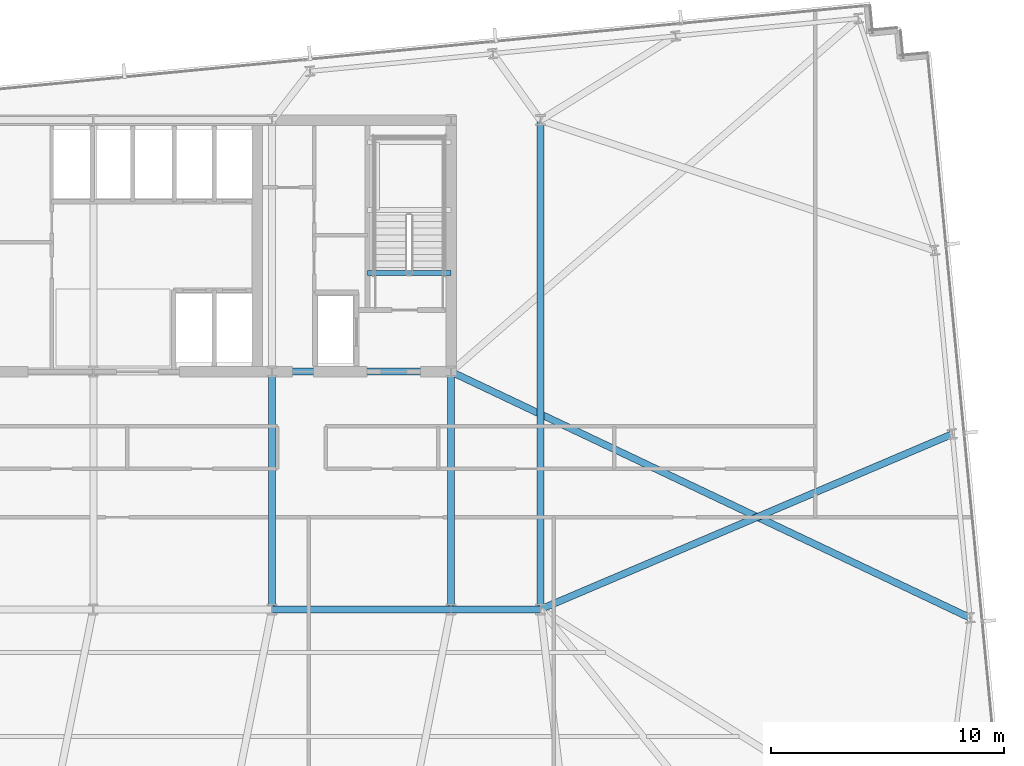
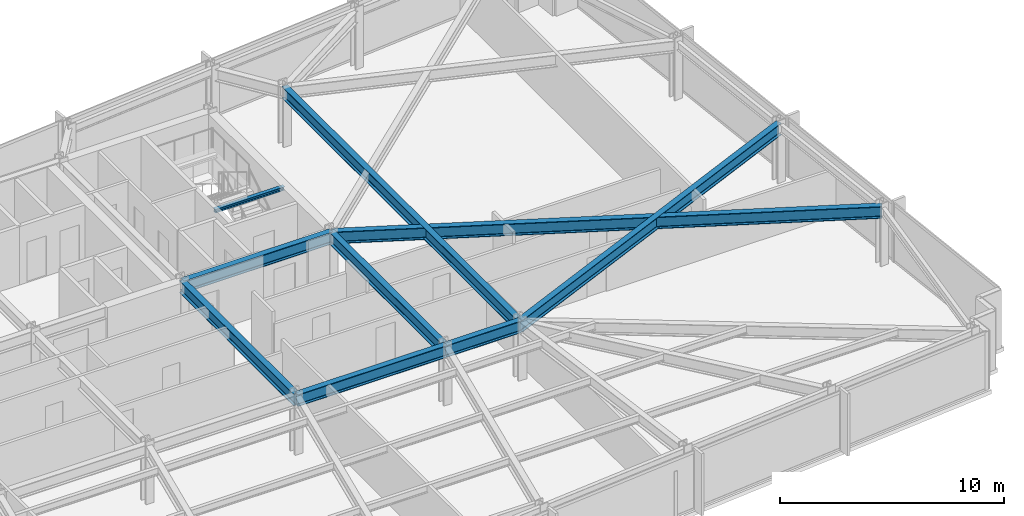
# One storey, part 15 of 32: 9 beams.
"""IFC4 building model written with IfcOpenShell, lengths in metres."""

import ifcopenshell
import ifcopenshell.guid

model = None  # the IFC model being written
_history = None  # IfcOwnerHistory: only IFC2X3 demands one
_inside = {}  # id of a spatial element -> (the spatial element, [elements in it])
_under = {}  # id of a project, library or spatial element -> (it, [spatial elements below it])
_declared = {}  # id of a project -> (the project, [libraries it declares])
_typed = {}  # id of a type object -> (the type object, [elements of that type])
_made_of = {}  # id of a material, layer set ... -> (it, [elements and type objects made of it])


def new_model(schema):
    """Start an empty IFC model of exactly this schema.

    Asked for "IFC4X3", IfcOpenShell would pick the latest addendum, in which some entities
    have other attributes; the version numbers below select the first issue.
    IFC2X3 requires an IfcOwnerHistory on every rooted entity: one is made here for all.
    """
    global model, _history
    if schema == "IFC4X3":
        model = ifcopenshell.file(schema_version=(4, 3, 0, 0))
    else:
        model = ifcopenshell.file(schema=schema)
    _inside.clear()
    _under.clear()
    _declared.clear()
    _typed.clear()
    _made_of.clear()
    _history = None
    if model.schema == "IFC2X3":
        org = make("IfcOrganization", Name="unknown")
        user = make(
            "IfcPersonAndOrganization",
            ThePerson=make("IfcPerson", FamilyName="unknown"),
            TheOrganization=org,
        )
        app = make(
            "IfcApplication",
            ApplicationDeveloper=org,
            Version="unknown",
            ApplicationFullName="unknown",
            ApplicationIdentifier="unknown",
        )
        _history = make(
            "IfcOwnerHistory",
            OwningUser=user,
            OwningApplication=app,
            ChangeAction="ADDED",
            CreationDate=0,
        )
    return model


def make(cls, **values):
    """One entity of the class cls with the attributes given. An attribute that is None is left unset."""
    return model.create_entity(
        cls, **{name: value for name, value in values.items() if value is not None}
    )


def rooted(cls, **values):
    """An entity with a GlobalId (a new one), such as an element, a storey or a relation."""
    return make(cls, GlobalId=ifcopenshell.guid.new(), OwnerHistory=_history, **values)


def si_unit(unit_type, name, prefix=None):
    """IfcSIUnit, for example si_unit("LENGTHUNIT", "METRE", prefix="MILLI")."""
    return make("IfcSIUnit", UnitType=unit_type, Prefix=prefix, Name=name)


def assignment(units):
    """IfcUnitAssignment: the units of a project."""
    return None if units is None else make("IfcUnitAssignment", Units=units)


def point(xyz):
    """IfcCartesianPoint."""
    return None if xyz is None else make("IfcCartesianPoint", Coordinates=xyz)


def direction(xyz):
    """IfcDirection."""
    return None if xyz is None else make("IfcDirection", DirectionRatios=xyz)


def frame(location, z_axis=None, x_axis=None):
    """IfcAxis2Placement3D, a coordinate frame: its origin and axes. An axis left out is left unset."""
    return make(
        "IfcAxis2Placement3D",
        Location=point(location),
        Axis=direction(z_axis),
        RefDirection=direction(x_axis),
    )


def frame_2d(location, x_axis=None):
    """IfcAxis2Placement2D, a coordinate frame in the plane: its origin and x axis."""
    return make(
        "IfcAxis2Placement2D", Location=point(location), RefDirection=direction(x_axis)
    )


def origin():
    """The frame at (0, 0, 0) with its axes left unset."""
    return frame((0.0, 0.0, 0.0))


def origin_2d():
    """The frame at (0, 0) in the plane with its x axis left unset."""
    return frame_2d((0.0, 0.0))


def place(relative_to, where):
    """IfcLocalPlacement: puts the frame where relative to a parent placement (None: the world)."""
    return make(
        "IfcLocalPlacement", PlacementRelTo=relative_to, RelativePlacement=where
    )


def context(
    kind, dimensions, precision=None, world=None, true_north=None, identifier=None
):
    """IfcGeometricRepresentationContext, for example the 3D "Model" context."""
    return make(
        "IfcGeometricRepresentationContext",
        ContextIdentifier=identifier,
        ContextType=kind,
        CoordinateSpaceDimension=dimensions,
        Precision=precision,
        WorldCoordinateSystem=world,
        TrueNorth=true_north,
    )


def subcontext(parent, identifier, kind, view, scale=None):
    """IfcGeometricRepresentationSubContext, for example "Body" below "Model"."""
    return make(
        "IfcGeometricRepresentationSubContext",
        ContextIdentifier=identifier,
        ContextType=kind,
        ParentContext=parent,
        TargetScale=scale,
        TargetView=view,
    )


def project(units=None, contexts=None):
    """IfcProject with its units and contexts."""
    return rooted(
        "IfcProject",
        Name="project",
        RepresentationContexts=contexts,
        UnitsInContext=assignment(units),
    )


def spatial(cls, under=None, at=None, **own):
    """A site, building, storey or space (cls), placed at a placement, below another one or the project."""
    s = rooted(cls, ObjectPlacement=at, **own)
    if under is not None:
        _under.setdefault(under.id(), (under, []))[1].append(s)
    return s


def profile(cls, at=None, kind="AREA", **sizes):
    """A parametric profile (cls). Its sizes go by their IFC names, for example OverallWidth=200.0."""
    return make(cls, ProfileType=kind, Position=at, **sizes)


def i_section(**sizes):
    """IfcIShapeProfileDef."""
    return profile("IfcIShapeProfileDef", **sizes)


def extrude(swept, where, along, depth):
    """IfcExtrudedAreaSolid: the profile swept, set in the frame where, extruded along a direction by depth."""
    return make(
        "IfcExtrudedAreaSolid",
        SweptArea=swept,
        Position=where,
        ExtrudedDirection=direction(along),
        Depth=depth,
    )


def shape(context_of_items, identifier, shape_type, items):
    """IfcShapeRepresentation: the items that make up one representation, for example the "Body"."""
    return make(
        "IfcShapeRepresentation",
        ContextOfItems=context_of_items,
        RepresentationIdentifier=identifier,
        RepresentationType=shape_type,
        Items=items,
    )


def material(Name=None, Category=None):
    """IfcMaterial."""
    return make("IfcMaterial", Name=Name, Category=Category)


def material_profile(
    of_material, cross_section, Name=None, Category=None, Priority=None
):
    """IfcMaterialProfile: a cross section and its material."""
    return make(
        "IfcMaterialProfile",
        Name=Name,
        Material=of_material,
        Profile=cross_section,
        Priority=Priority,
        Category=Category,
    )


def profile_set(profiles, Name=None, composite=None):
    """IfcMaterialProfileSet."""
    return make(
        "IfcMaterialProfileSet",
        Name=Name,
        MaterialProfiles=profiles,
        CompositeProfile=composite,
    )


def made_of(thing, what):
    """Note that an element or type object is made of a material, layer set ...; save() writes the relation."""
    if what is not None:
        _made_of.setdefault(what.id(), (what, []))[1].append(thing)
    return thing


def type_object(cls, material=None, **own):
    """A type object (cls), such as IfcWallType, which elements share."""
    return made_of(rooted(cls, **own), material)


def element(
    cls,
    number,
    at=None,
    inside=None,
    cuts=None,
    type_object=None,
    material=None,
    context=None,
    identifier="Body",
    shape_type=None,
    held_by="IfcProductDefinitionShape",
    body=None,
    shapes=None,
    **own,
):
    """One element of the class cls, such as IfcWall. Its Tag is "e" and its number.

    at: its placement. inside: the storey or other place that contains it. cuts: it is an
    opening in that element (IfcRelVoidsElement). A single representation is given by context,
    identifier, shape_type and body (its items); several are given by shapes. held_by: the class
    of the entity that holds the representations. save() writes the other relations.
    """
    e = rooted(cls, Tag="e%d" % number, ObjectPlacement=at, **own)
    if body is not None:
        shapes = [shape(context, identifier, shape_type, body)]
    if shapes is not None:
        e.Representation = make(held_by, Representations=shapes)
    if inside is not None:
        _inside.setdefault(inside.id(), (inside, []))[1].append(e)
    if cuts is not None:
        rooted(
            "IfcRelVoidsElement", RelatingBuildingElement=cuts, RelatedOpeningElement=e
        )
    if type_object is not None:
        _typed.setdefault(type_object.id(), (type_object, []))[1].append(e)
    return made_of(e, material)


def aggregate(whole, parts):
    """IfcRelAggregates: a whole, such as a stair, and the parts it consists of."""
    return rooted("IfcRelAggregates", RelatingObject=whole, RelatedObjects=parts)


def save(model, path):
    """Write the relations noted so far, then the file.

    IfcRelAggregates (storeys below a building ...), IfcRelContainedInSpatialStructure (elements
    in a storey), IfcRelDefinesByType, IfcRelAssociatesMaterial and IfcRelDeclares: one each for
    every whole, place, type object, material and project.
    """
    for whole, parts in _under.values():
        aggregate(whole, parts)
    for where, things in _inside.values():
        rooted(
            "IfcRelContainedInSpatialStructure",
            RelatedElements=things,
            RelatingStructure=where,
        )
    for kind, things in _typed.values():
        rooted("IfcRelDefinesByType", RelatedObjects=things, RelatingType=kind)
    for what, things in _made_of.values():
        rooted("IfcRelAssociatesMaterial", RelatedObjects=things, RelatingMaterial=what)
    for by, libraries in _declared.values():
        rooted("IfcRelDeclares", RelatingContext=by, RelatedDefinitions=libraries)
    model.write(path)


model = new_model("IFC4")

# Units and contexts
model_context = context("Model", 3, precision=1e-05, world=origin(), true_north=direction((0.0, 1.0)))
body_context = subcontext(model_context, "Body", "Model", "MODEL_VIEW")
ifc_project = project(units=[si_unit("LENGTHUNIT", "METRE"), si_unit("AREAUNIT", "SQUARE_METRE"), si_unit("VOLUMEUNIT", "CUBIC_METRE"), si_unit("PLANEANGLEUNIT", "RADIAN"), si_unit("MASSUNIT", "GRAM", prefix="KILO")], contexts=[model_context])

# Site, building, storey
site_placement = place(None, origin())
site = spatial("IfcSite", under=ifc_project, at=site_placement, CompositionType="ELEMENT")
building_placement = place(site_placement, origin())
building = spatial("IfcBuilding", under=site, at=building_placement, Name="Yelkora Congress Tower", CompositionType="ELEMENT")
storey_placement = place(building_placement, frame((0.0, 0.0, 113.5)))
storey = spatial("IfcBuildingStorey", under=building, at=storey_placement, Name="L30", CompositionType="ELEMENT", Elevation=113.5)

# Beams
ifc_material = material(Name="Steel S355J2", Category="steel")
ifc_material_profile_1 = material_profile(ifc_material, i_section(OverallWidth=0.300048828125, OverallDepth=0.64990234375, WebThickness=0.01611328125, FlangeThickness=0.031005859375, FilletRadius=0.027099609375, at=origin_2d()), Name="HEB 650")
ifc_profile_set_1 = profile_set([ifc_material_profile_1], Name="Steel S355J2")
beam_type_1 = type_object("IfcBeamType", Name="BM-GIRD-HEB650", PredefinedType="BEAM", material=ifc_profile_set_1)
beam_1_placement = place(storey_placement, frame((46.080078125, 25.199951171875, 2.85498046875), z_axis=(1.0, 0.0, 0.0), x_axis=(0.0, 1.0, 0.0)))
element("IfcBeam", 1, at=beam_1_placement, inside=storey, type_object=beam_type_1, Name="L30 Spine Grid D Girder 5", PredefinedType="BEAM", context=body_context, shape_type="SweptSolid", body=[
    extrude(i_section(OverallWidth=0.300048828125, OverallDepth=0.64990234375, WebThickness=0.01611328125, FlangeThickness=0.031005859375, FilletRadius=0.027099609375, at=origin_2d()), origin(), (0.0, 0.0, 1.0), 7.679931640625),
])
beam_2_placement = place(storey_placement, frame((53.760009765625, 25.199951171875, 2.85498046875), z_axis=(1.0, 0.0, 0.0), x_axis=(0.0, 1.0, 0.0)))
element("IfcBeam", 2, at=beam_2_placement, inside=storey, type_object=beam_type_1, Name="L30 Spine Grid D Girder 6", PredefinedType="BEAM", context=body_context, shape_type="SweptSolid", body=[
    extrude(i_section(OverallWidth=0.300048828125, OverallDepth=0.64990234375, WebThickness=0.01611328125, FlangeThickness=0.031005859375, FilletRadius=0.027099609375, at=origin_2d()), origin(), (0.0, 0.0, 1.0), 3.840087890625),
])
beam_3_placement = place(storey_placement, frame((46.080078125, 35.39990234375, 2.85498046875), z_axis=(1.0, 0.0, 0.0), x_axis=(0.0, 1.0, 0.0)))
element("IfcBeam", 3, at=beam_3_placement, inside=storey, type_object=beam_type_1, Name="L30 Core South Girder 4", PredefinedType="BEAM", context=body_context, shape_type="SweptSolid", body=[
    extrude(i_section(OverallWidth=0.300048828125, OverallDepth=0.64990234375, WebThickness=0.01611328125, FlangeThickness=0.031005859375, FilletRadius=0.027099609375, at=origin_2d()), origin(), (0.0, 0.0, 1.0), 7.679931640625),
])
for number, where, z_axis, x_axis, name in (
    (4, (46.080078125, 25.199951171875, 2.85498046875), (0.0, 1.0, 0.0), (-1.0, 0.0, 0.0), "L30 Core Tie Girder MC-D4"),
    (5, (53.760009765625, 25.199951171875, 2.85498046875), (0.0, 1.0, 0.0), (-1.0, 0.0, 0.0), "L30 Core Tie Girder MC-D5"),
):
    element("IfcBeam", number, at=place(storey_placement, frame(where, z_axis=z_axis, x_axis=x_axis)), inside=storey, type_object=beam_type_1, Name=name, PredefinedType="BEAM", context=body_context, shape_type="SweptSolid", body=[
        extrude(i_section(OverallWidth=0.300048828125, OverallDepth=0.64990234375, WebThickness=0.01611328125, FlangeThickness=0.031005859375, FilletRadius=0.027099609375, at=origin_2d()), origin(), (0.0, 0.0, 1.0), 10.199951171875),
    ])
beam_4_placement = place(storey_placement, frame((57.60009765625, 25.199951171875, 2.85498046875), z_axis=(0.0, 1.0, 0.0), x_axis=(-1.0, 0.0, 0.0)))
element("IfcBeam", 6, at=beam_4_placement, inside=storey, type_object=beam_type_1, Name="L30 Neck Flank Girder MC-F2", PredefinedType="BEAM", context=body_context, shape_type="SweptSolid", body=[
    extrude(i_section(OverallWidth=0.300048828125, OverallDepth=0.64990234375, WebThickness=0.01611328125, FlangeThickness=0.031005859375, FilletRadius=0.027099609375, at=origin_2d()), origin(), (0.0, 0.0, 1.0), 21.0),
])
beam_5_placement = place(storey_placement, frame((76.041259765625, 24.83349609375, 2.85498046875), z_axis=(-0.903547447445, 0.428488051427, 0.0), x_axis=(-0.428488051427, -0.903547447445, 0.0)))
element("IfcBeam", 7, at=beam_5_placement, inside=storey, type_object=beam_type_1, Name="L30 Primary Frame Girder E01", PredefinedType="BEAM", context=body_context, shape_type="SweptSolid", body=[
    extrude(i_section(OverallWidth=0.300048828125, OverallDepth=0.64990234375, WebThickness=0.01611328125, FlangeThickness=0.031005859375, FilletRadius=0.027099609375, at=origin_2d()), origin(), (0.0, 0.0, 1.0), 24.65966796875),
])
beam_6_placement = place(storey_placement, frame((75.28173828125, 32.721923828125, 2.85498046875), z_axis=(-0.920194564302, -0.391461318432, 0.0), x_axis=(0.391461318432, -0.920194564302, 0.0)))
element("IfcBeam", 8, at=beam_6_placement, inside=storey, type_object=beam_type_1, Name="L30 Primary Frame Girder E02", PredefinedType="BEAM", context=body_context, shape_type="SweptSolid", body=[
    extrude(i_section(OverallWidth=0.300048828125, OverallDepth=0.64990234375, WebThickness=0.01611328125, FlangeThickness=0.031005859375, FilletRadius=0.027099609375, at=origin_2d()), origin(), (0.0, 0.0, 1.0), 19.215087890625),
])
ifc_material_profile_2 = material_profile(ifc_material, i_section(OverallWidth=0.199951171875, OverallDepth=0.18994140625, WebThickness=0.006591796875, FlangeThickness=0.010009765625, FilletRadius=0.01806640625, at=origin_2d()), Name="HEA 200")
ifc_profile_set_2 = profile_set([ifc_material_profile_2], Name="Steel S355J2")
beam_type_2 = type_object("IfcBeamType", Name="BM-LAND-HEA200", PredefinedType="BEAM", material=ifc_profile_set_2)
beam_7_placement = place(storey_placement, frame((50.179931640625, 39.639892578125, 2.947509765625), z_axis=(1.0, 0.0, 0.0), x_axis=(0.0, 1.0, 0.0)))
element("IfcBeam", 9, at=beam_7_placement, inside=storey, type_object=beam_type_2, Name="ST-02 L30 Floor Arrival Stringer Header Beam", PredefinedType="BEAM", context=body_context, shape_type="SweptSolid", body=[
    extrude(i_section(OverallWidth=0.199951171875, OverallDepth=0.18994140625, WebThickness=0.006591796875, FlangeThickness=0.010009765625, FilletRadius=0.01806640625, at=origin_2d()), origin(), (0.0, 0.0, 1.0), 3.580078125),
])

save(model, "model.ifc")
